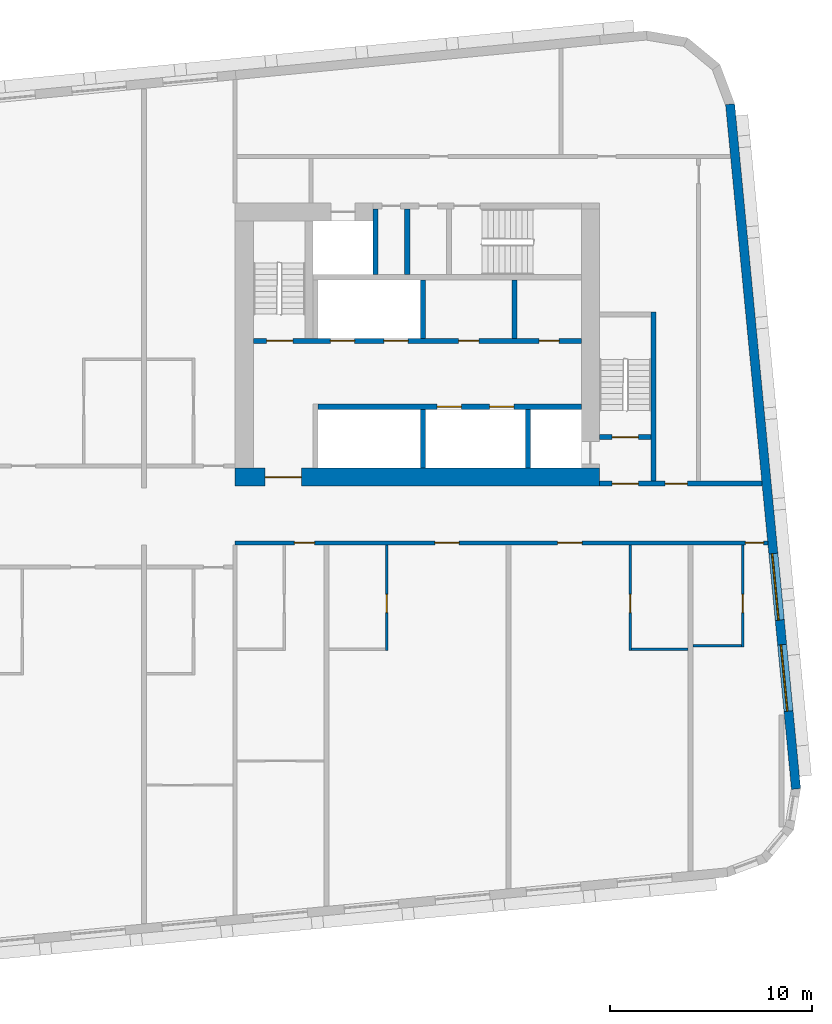
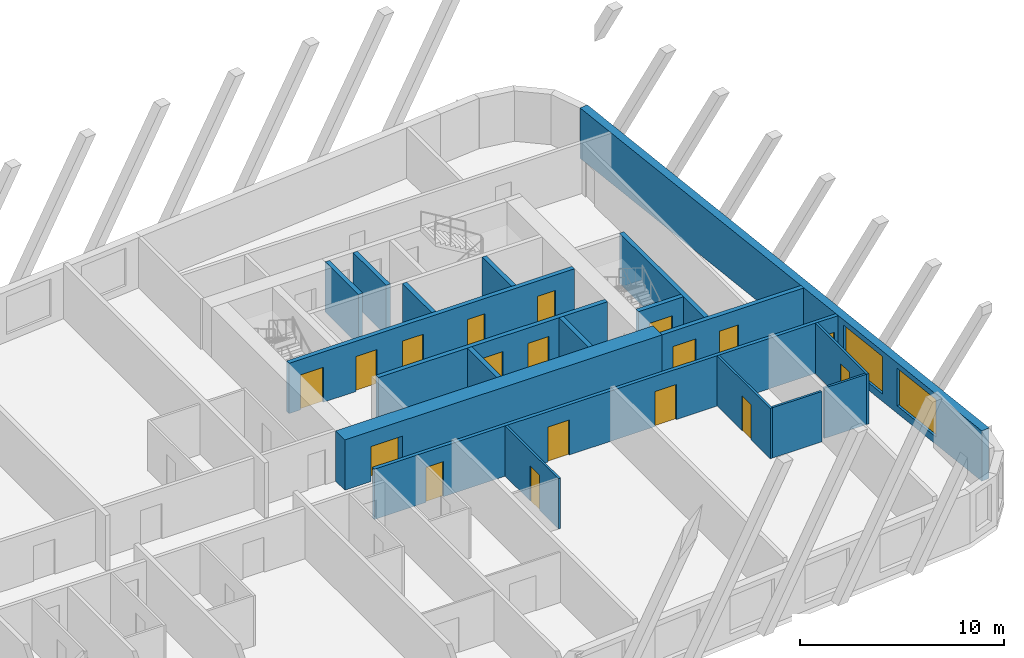
# One storey, part 7 of 13: 19 walls, 18 doors, 2 windows, 20 openings.
"""IFC4 building model written with IfcOpenShell, lengths in metres."""

from ifc_helpers import new_model, si_unit, direction, frame, frame_2d, origin, place, context, subcontext, project, spatial, rectangle, extrude, material, layer, layer_set, type_object, element, fill, save


model = new_model("IFC4")

# Units and contexts
model_context = context("Model", 3, precision=1e-05, world=origin(), true_north=direction((0.0, 1.0)))
body_context = subcontext(model_context, "Body", "Model", "MODEL_VIEW")
ifc_project = project(units=[si_unit("LENGTHUNIT", "METRE"), si_unit("AREAUNIT", "SQUARE_METRE"), si_unit("VOLUMEUNIT", "CUBIC_METRE"), si_unit("PLANEANGLEUNIT", "RADIAN"), si_unit("MASSUNIT", "GRAM", prefix="KILO")], contexts=[model_context])

# Site, building, storey
site_placement = place(None, origin())
site = spatial("IfcSite", under=ifc_project, at=site_placement, CompositionType="ELEMENT")
building_placement = place(site_placement, origin())
building = spatial("IfcBuilding", under=site, at=building_placement, Name="Kajstack Hotel Tower", CompositionType="ELEMENT")
storey_placement = place(building_placement, frame((0.0, 0.0, 176.800048828125)))
storey = spatial("IfcBuildingStorey", under=building, at=storey_placement, Name="L41", CompositionType="ELEMENT", Elevation=176.800048828125)

# Wall, opening, door
ifc_material_1 = material(Name="Concrete C60/75", Category="concrete")
ifc_layer_1 = layer(ifc_material_1, 0.89990234375)
ifc_layer_set_1 = layer_set([ifc_layer_1], Name="Core wall 900")
wall_type_1 = type_object("IfcWallType", Name="Core wall 900", PredefinedType="SHEAR", material=ifc_layer_set_1)
wall_1_placement = place(storey_placement, frame((13.5, 1.949951171875, 0.0), z_axis=(0.0, 0.0, 1.0), x_axis=(1.0, 0.0, 0.0)))
wall_1 = element("IfcWall", 1, at=wall_1_placement, inside=storey, type_object=wall_type_1, Name="Core wall E RN", PredefinedType="SHEAR", context=body_context, shape_type="SweptSolid", body=[
    extrude(rectangle(XDim=18.0, YDim=0.89990234375, at=frame_2d((9.0, 0.0))), origin(), (0.0, 0.0, 1.0), 3.02001953125),
])
opening_1_placement = place(wall_1_placement, frame((1.47509765625, 0.0, 0.0)))
opening_1 = element("IfcOpeningElement", 2, at=opening_1_placement, cuts=wall_1, Name="Opening 41E07", PredefinedType="OPENING", context=body_context, shape_type="SweptSolid", body=[
    extrude(rectangle(XDim=1.800048828125, YDim=2.10009765625, at=frame_2d((0.89990234375, 1.050048828125))), frame((0.0, 0.4599609375, 0.0), z_axis=(0.0, -1.0, 0.0), x_axis=(1.0, 0.0, 0.0)), (0.0, 0.0, 1.0), 0.919921875),
])
ifc_material_2 = material(Name="Glazed steel frame, fire-rated glass", Category="steel")
door_type_1 = type_object("IfcDoorType", Name="Lobby double door 1800", OperationType="DOUBLE_DOOR_DOUBLE_SWING", PredefinedType="DOOR", material=ifc_material_2)
door_1_placement = place(opening_1_placement, origin())
door_1 = element("IfcDoor", 3, at=door_1_placement, inside=storey, type_object=door_type_1, Name="Door 41E07", OperationType="DOUBLE_DOOR_DOUBLE_SWING", OverallHeight=2.10009765625, OverallWidth=1.800048828125, PredefinedType="DOOR", context=body_context, shape_type="SweptSolid", body=[
    extrude(rectangle(XDim=1.800048828125, YDim=2.10009765625, at=frame_2d((0.89990234375, 1.050048828125))), frame((0.0, 0.02490234375, 0.0), z_axis=(0.0, -1.0, 0.0), x_axis=(1.0, 0.0, 0.0)), (0.0, 0.0, 1.0), 0.050048828125),
])
fill(opening_1, door_1)

# Wall, openings, doors
ifc_material_3 = material(Name="Gypsum board on steel studs, mineral wool", Category="steel")
ifc_layer_2 = layer(ifc_material_3, 0.199951171875)
ifc_layer_set_2 = layer_set([ifc_layer_2], Name="Corridor wall 200")
wall_type_2 = type_object("IfcWallType", Name="Corridor wall 200", PredefinedType="PARTITIONING", material=ifc_layer_set_2)
wall_2_placement = place(storey_placement, frame((13.5, -1.300048828125, 0.0), z_axis=(0.0, 0.0, 1.0), x_axis=(1.0, 0.0, 0.0)))
wall_2 = element("IfcWall", 4, at=wall_2_placement, inside=storey, type_object=wall_type_2, Name="G-wall-L41-026", PredefinedType="PARTITIONING", context=body_context, shape_type="SweptSolid", body=[
    extrude(rectangle(XDim=26.31689453125, YDim=0.199951171875, at=frame_2d((13.158447265625, 0.0))), origin(), (0.0, 0.0, 1.0), 3.02001953125),
])
opening_2_placement = place(wall_2_placement, frame((2.925048828125, 0.0, 0.0)))
opening_2 = element("IfcOpeningElement", 5, at=opening_2_placement, cuts=wall_2, Name="Opening 41031", PredefinedType="OPENING", context=body_context, shape_type="SweptSolid", body=[
    extrude(rectangle(XDim=1.0, YDim=2.10009765625, at=frame_2d((0.5, 1.050048828125))), frame((0.0, 0.10986328125, 0.0), z_axis=(0.0, -1.0, 0.0), x_axis=(1.0, 0.0, 0.0)), (0.0, 0.0, 1.0), 0.219970703125),
])
opening_3_placement = place(wall_2_placement, frame((9.862060546875, 0.0, 0.0)))
opening_3 = element("IfcOpeningElement", 6, at=opening_3_placement, cuts=wall_2, Name="Opening 41034", PredefinedType="OPENING", context=body_context, shape_type="SweptSolid", body=[
    extrude(rectangle(XDim=1.199951171875, YDim=2.10009765625, at=frame_2d((0.60009765625, 1.050048828125))), frame((0.0, 0.10986328125, 0.0), z_axis=(0.0, -1.0, 0.0), x_axis=(1.0, 0.0, 0.0)), (0.0, 0.0, 1.0), 0.219970703125),
])
opening_4_placement = place(wall_2_placement, frame((15.93798828125, 0.0, 0.0)))
opening_4 = element("IfcOpeningElement", 7, at=opening_4_placement, cuts=wall_2, Name="Opening 41036", PredefinedType="OPENING", context=body_context, shape_type="SweptSolid", body=[
    extrude(rectangle(XDim=1.199951171875, YDim=2.10009765625, at=frame_2d((0.60009765625, 1.050048828125))), frame((0.0, 0.10986328125, 0.0), z_axis=(0.0, -1.0, 0.0), x_axis=(1.0, 0.0, 0.0)), (0.0, 0.0, 1.0), 0.219970703125),
])
opening_5_placement = place(wall_2_placement, frame((25.2080078125, 0.0, 0.0)))
opening_5 = element("IfcOpeningElement", 8, at=opening_5_placement, cuts=wall_2, Name="Opening 41038", PredefinedType="OPENING", context=body_context, shape_type="SweptSolid", body=[
    extrude(rectangle(XDim=0.89990234375, YDim=2.10009765625, at=frame_2d((0.449951171875, 1.050048828125))), frame((0.0, 0.10986328125, 0.0), z_axis=(0.0, -1.0, 0.0), x_axis=(1.0, 0.0, 0.0)), (0.0, 0.0, 1.0), 0.219970703125),
])
ifc_material_4 = material(Name="Oak veneer on timber core, fire-rated leaf", Category="wood")
door_type_2 = type_object("IfcDoorType", Name="Flat entrance door 1000", OperationType="SINGLE_SWING_LEFT", PredefinedType="DOOR", material=ifc_material_4)
door_2_placement = place(opening_2_placement, origin())
door_2 = element("IfcDoor", 9, at=door_2_placement, inside=storey, type_object=door_type_2, Name="G-door-L41-31", OperationType="SINGLE_SWING_LEFT", OverallHeight=2.10009765625, OverallWidth=1.0, PredefinedType="DOOR", context=body_context, shape_type="SweptSolid", body=[
    extrude(rectangle(XDim=1.0, YDim=2.10009765625, at=frame_2d((0.5, 1.050048828125))), frame((0.0, 0.02490234375, 0.0), z_axis=(0.0, -1.0, 0.0), x_axis=(1.0, 0.0, 0.0)), (0.0, 0.0, 1.0), 0.050048828125),
])
fill(opening_2, door_2)
door_type_3 = type_object("IfcDoorType", Name="Flat entrance door 1200", OperationType="SINGLE_SWING_LEFT", PredefinedType="DOOR", material=ifc_material_4)
door_3_placement = place(opening_3_placement, origin())
door_3 = element("IfcDoor", 10, at=door_3_placement, inside=storey, type_object=door_type_3, Name="G-door-L41-34", OperationType="SINGLE_SWING_LEFT", OverallHeight=2.10009765625, OverallWidth=1.199951171875, PredefinedType="DOOR", context=body_context, shape_type="SweptSolid", body=[
    extrude(rectangle(XDim=1.199951171875, YDim=2.10009765625, at=frame_2d((0.60009765625, 1.050048828125))), frame((0.0, 0.02490234375, 0.0), z_axis=(0.0, -1.0, 0.0), x_axis=(1.0, 0.0, 0.0)), (0.0, 0.0, 1.0), 0.050048828125),
])
fill(opening_3, door_3)
door_4_placement = place(opening_4_placement, origin())
door_4 = element("IfcDoor", 11, at=door_4_placement, inside=storey, type_object=door_type_3, Name="G-door-L41-36", OperationType="SINGLE_SWING_RIGHT", OverallHeight=2.10009765625, OverallWidth=1.199951171875, PredefinedType="DOOR", context=body_context, shape_type="SweptSolid", body=[
    extrude(rectangle(XDim=1.199951171875, YDim=2.10009765625, at=frame_2d((0.60009765625, 1.050048828125))), frame((0.0, 0.02490234375, 0.0), z_axis=(0.0, -1.0, 0.0), x_axis=(1.0, 0.0, 0.0)), (0.0, 0.0, 1.0), 0.050048828125),
])
fill(opening_4, door_4)
ifc_material_5 = material(Name="Painted timber door leaf", Category="wood")
door_type_4 = type_object("IfcDoorType", Name="Room door 900", OperationType="SINGLE_SWING_LEFT", PredefinedType="DOOR", material=ifc_material_5)
door_5_placement = place(opening_5_placement, origin())
door_5 = element("IfcDoor", 12, at=door_5_placement, inside=storey, type_object=door_type_4, Name="G-door-L41-38", OperationType="SINGLE_SWING_RIGHT", OverallHeight=2.10009765625, OverallWidth=0.89990234375, PredefinedType="DOOR", context=body_context, shape_type="SweptSolid", body=[
    extrude(rectangle(XDim=0.89990234375, YDim=2.10009765625, at=frame_2d((0.449951171875, 1.050048828125))), frame((0.0, 0.02490234375, 0.0), z_axis=(0.0, -1.0, 0.0), x_axis=(1.0, 0.0, 0.0)), (0.0, 0.0, 1.0), 0.050048828125),
])
fill(opening_5, door_5)

# Wall, openings, windows
ifc_material_6 = material(Name="Terracotta-faced brick masonry", Category="masonry")
ifc_layer_3 = layer(ifc_material_6, 0.449951171875)
ifc_layer_set_3 = layer_set([ifc_layer_3], Name="EW-TERRA")
wall_type_3 = type_object("IfcWallType", Name="EW-TERRA", PredefinedType="SOLIDWALL", material=ifc_layer_set_3)
wall_3_placement = place(storey_placement, frame((41.21435546875, -13.465576171875, 0.0), z_axis=(0.0, 0.0, 1.0), x_axis=(-0.095847314626, 0.995396047952, 0.0)))
wall_3 = element("IfcWall", 13, at=wall_3_placement, inside=storey, type_object=wall_type_3, Name="E-wall-L41-08-00", PredefinedType="SOLIDWALL", context=body_context, shape_type="SweptSolid", body=[
    extrude(rectangle(XDim=33.999755859375, YDim=0.449951171875, at=frame_2d((17.0, 0.0))), origin(), (0.0, 0.0, 1.0), 3.02001953125),
])
opening_6_placement = place(wall_3_placement, frame((3.869384765625, 0.0, 0.449951171875)))
opening_6 = element("IfcOpeningElement", 14, at=opening_6_placement, cuts=wall_3, Name="Opening W2", PredefinedType="OPENING", context=body_context, shape_type="SweptSolid", body=[
    extrude(rectangle(XDim=3.300048828125, YDim=2.25, at=frame_2d((1.64990234375, 1.125))), frame((0.0, 0.23486328125, 0.0), z_axis=(0.0, -1.0, 0.0), x_axis=(1.0, 0.0, 0.0)), (0.0, 0.0, 1.0), 0.469970703125),
])
opening_7_placement = place(wall_3_placement, frame((8.390380859375, 0.0, 0.449951171875)))
opening_7 = element("IfcOpeningElement", 15, at=opening_7_placement, cuts=wall_3, Name="Opening W2", PredefinedType="OPENING", context=body_context, shape_type="SweptSolid", body=[
    extrude(rectangle(XDim=3.300048828125, YDim=2.25, at=frame_2d((1.64990234375, 1.125))), frame((0.0, 0.23486328125, 0.0), z_axis=(0.0, -1.0, 0.0), x_axis=(1.0, 0.0, 0.0)), (0.0, 0.0, 1.0), 0.469970703125),
])
ifc_material_7 = material(Name="Timber-aluminium window, triple glazed", Category="wood")
window_type = type_object("IfcWindowType", Name="WG2", PartitioningType="SINGLE_PANEL", PredefinedType="WINDOW", material=ifc_material_7)
window_1_placement = place(opening_6_placement, origin())
window_1 = element("IfcWindow", 16, at=window_1_placement, inside=storey, type_object=window_type, Name="Window W2 L41-08", OverallHeight=2.25, OverallWidth=3.300048828125, PartitioningType="SINGLE_PANEL", PredefinedType="WINDOW", context=body_context, shape_type="SweptSolid", body=[
    extrude(rectangle(XDim=3.300048828125, YDim=2.25, at=frame_2d((1.64990234375, 1.125))), frame((0.0, 0.090087890625, 0.0), z_axis=(0.0, -1.0, 0.0), x_axis=(1.0, 0.0, 0.0)), (0.0, 0.0, 1.0), 0.06005859375),
])
fill(opening_6, window_1)
window_2_placement = place(opening_7_placement, origin())
window_2 = element("IfcWindow", 17, at=window_2_placement, inside=storey, type_object=window_type, Name="Window W2 L41-08", OverallHeight=2.25, OverallWidth=3.300048828125, PartitioningType="SINGLE_PANEL", PredefinedType="WINDOW", context=body_context, shape_type="SweptSolid", body=[
    extrude(rectangle(XDim=3.300048828125, YDim=2.25, at=frame_2d((1.64990234375, 1.125))), frame((0.0, 0.090087890625, 0.0), z_axis=(0.0, -1.0, 0.0), x_axis=(1.0, 0.0, 0.0)), (0.0, 0.0, 1.0), 0.06005859375),
])
fill(opening_7, window_2)

# Wall, opening, door
ifc_material_8 = material(Name="Gypsum board and tiled backer on steel studs", Category="steel")
ifc_layer_4 = layer(ifc_material_8, 0.125)
ifc_layer_set_4 = layer_set([ifc_layer_4], Name="En-suite wall 125")
wall_type_4 = type_object("IfcWallType", Name="En-suite wall 125", PredefinedType="PARTITIONING", material=ifc_layer_set_4)
wall_4_placement = place(storey_placement, frame((20.988037109375, -6.625, 0.0), z_axis=(0.0, 0.0, 1.0), x_axis=(0.0, 1.0, 0.0)))
wall_4 = element("IfcWall", 18, at=wall_4_placement, inside=storey, type_object=wall_type_4, Name="G-wall-L41-044", PredefinedType="PARTITIONING", context=body_context, shape_type="SweptSolid", body=[
    extrude(rectangle(XDim=5.22509765625, YDim=0.125, at=frame_2d((2.612548828125, 0.0))), origin(), (0.0, 0.0, 1.0), 3.02001953125),
])
opening_8_placement = place(wall_4_placement, frame((1.875, 0.0, 0.0)))
opening_8 = element("IfcOpeningElement", 19, at=opening_8_placement, cuts=wall_4, Name="Opening 41035", PredefinedType="OPENING", context=body_context, shape_type="SweptSolid", body=[
    extrude(rectangle(XDim=0.89990234375, YDim=2.10009765625, at=frame_2d((0.449951171875, 1.050048828125))), frame((0.0, 0.072509765625, 0.0), z_axis=(0.0, -1.0, 0.0), x_axis=(1.0, 0.0, 0.0)), (0.0, 0.0, 1.0), 0.14501953125),
])
door_6_placement = place(opening_8_placement, origin())
door_6 = element("IfcDoor", 20, at=door_6_placement, inside=storey, type_object=door_type_4, Name="G-door-L41-35", OperationType="SINGLE_SWING_RIGHT", OverallHeight=2.10009765625, OverallWidth=0.89990234375, PredefinedType="DOOR", context=body_context, shape_type="SweptSolid", body=[
    extrude(rectangle(XDim=0.89990234375, YDim=2.10009765625, at=frame_2d((0.449951171875, 1.050048828125))), frame((0.0, 0.02490234375, 0.0), z_axis=(0.0, -1.0, 0.0), x_axis=(1.0, 0.0, 0.0)), (0.0, 0.0, 1.0), 0.050048828125),
])
fill(opening_8, door_6)

wall_5_placement = place(storey_placement, frame((33.012939453125, -6.625, 0.0), z_axis=(0.0, 0.0, 1.0), x_axis=(0.0, 1.0, 0.0)))
wall_5 = element("IfcWall", 21, at=wall_5_placement, inside=storey, type_object=wall_type_4, Name="G-wall-L41-046", PredefinedType="PARTITIONING", context=body_context, shape_type="SweptSolid", body=[
    extrude(rectangle(XDim=5.22509765625, YDim=0.125, at=frame_2d((2.612548828125, 0.0))), origin(), (0.0, 0.0, 1.0), 3.02001953125),
])
opening_9_placement = place(wall_5_placement, frame((1.875, 0.0, 0.0)))
opening_9 = element("IfcOpeningElement", 22, at=opening_9_placement, cuts=wall_5, Name="Opening 41037", PredefinedType="OPENING", context=body_context, shape_type="SweptSolid", body=[
    extrude(rectangle(XDim=0.89990234375, YDim=2.10009765625, at=frame_2d((0.449951171875, 1.050048828125))), frame((0.0, 0.072509765625, 0.0), z_axis=(0.0, -1.0, 0.0), x_axis=(1.0, 0.0, 0.0)), (0.0, 0.0, 1.0), 0.14501953125),
])
door_7_placement = place(opening_9_placement, origin())
door_7 = element("IfcDoor", 23, at=door_7_placement, inside=storey, type_object=door_type_4, Name="G-door-L41-37", OperationType="SINGLE_SWING_LEFT", OverallHeight=2.10009765625, OverallWidth=0.89990234375, PredefinedType="DOOR", context=body_context, shape_type="SweptSolid", body=[
    extrude(rectangle(XDim=0.89990234375, YDim=2.10009765625, at=frame_2d((0.449951171875, 1.050048828125))), frame((0.0, 0.02490234375, 0.0), z_axis=(0.0, -1.0, 0.0), x_axis=(1.0, 0.0, 0.0)), (0.0, 0.0, 1.0), 0.050048828125),
])
fill(opening_9, door_7)

# Wall
wall_6_placement = place(storey_placement, frame((33.074951171875, -6.56201171875, 0.0), z_axis=(0.0, 0.0, 1.0), x_axis=(1.0, 0.0, 0.0)))
element("IfcWall", 24, at=wall_6_placement, inside=storey, type_object=wall_type_4, Name="G-wall-L41-047", PredefinedType="PARTITIONING", context=body_context, shape_type="SweptSolid", body=[
    extrude(rectangle(XDim=2.800048828125, YDim=0.125, at=frame_2d((1.39990234375, 0.0))), origin(), (0.0, 0.0, 1.0), 3.02001953125),
])

# Wall, opening, door
wall_7_placement = place(storey_placement, frame((38.5869140625, -6.445068359375, 0.0), z_axis=(0.0, 0.0, 1.0), x_axis=(0.0, 1.0, 0.0)))
wall_7 = element("IfcWall", 25, at=wall_7_placement, inside=storey, type_object=wall_type_4, Name="G-wall-L41-048", PredefinedType="PARTITIONING", context=body_context, shape_type="SweptSolid", body=[
    extrude(rectangle(XDim=5.045166015625, YDim=0.125, at=frame_2d((2.5224609375, 0.0))), origin(), (0.0, 0.0, 1.0), 3.02001953125),
])
opening_10_placement = place(wall_7_placement, frame((1.695068359375, 0.0, 0.0)))
opening_10 = element("IfcOpeningElement", 26, at=opening_10_placement, cuts=wall_7, Name="Opening 41039", PredefinedType="OPENING", context=body_context, shape_type="SweptSolid", body=[
    extrude(rectangle(XDim=0.89990234375, YDim=2.10009765625, at=frame_2d((0.449951171875, 1.050048828125))), frame((0.0, 0.072509765625, 0.0), z_axis=(0.0, -1.0, 0.0), x_axis=(1.0, 0.0, 0.0)), (0.0, 0.0, 1.0), 0.14501953125),
])
door_8_placement = place(opening_10_placement, origin())
door_8 = element("IfcDoor", 27, at=door_8_placement, inside=storey, type_object=door_type_4, Name="G-door-L41-39", OperationType="SINGLE_SWING_LEFT", OverallHeight=2.10009765625, OverallWidth=0.89990234375, PredefinedType="DOOR", context=body_context, shape_type="SweptSolid", body=[
    extrude(rectangle(XDim=0.89990234375, YDim=2.10009765625, at=frame_2d((0.449951171875, 1.050048828125))), frame((0.0, 0.02490234375, 0.0), z_axis=(0.0, -1.0, 0.0), x_axis=(1.0, 0.0, 0.0)), (0.0, 0.0, 1.0), 0.050048828125),
])
fill(opening_10, door_8)

# Walls
wall_8_placement = place(storey_placement, frame((36.125, -6.382080078125, 0.0), z_axis=(0.0, 0.0, 1.0), x_axis=(1.0, 0.0, 0.0)))
element("IfcWall", 28, at=wall_8_placement, inside=storey, type_object=wall_type_4, Name="G-wall-L41-049", PredefinedType="PARTITIONING", context=body_context, shape_type="SweptSolid", body=[
    extrude(rectangle(XDim=2.39990234375, YDim=0.125, at=frame_2d((1.199951171875, 0.0))), origin(), (0.0, 0.0, 1.0), 3.02001953125),
])
ifc_material_9 = material(Name="Concrete C50/60", Category="concrete")
ifc_layer_5 = layer(ifc_material_9, 0.300048828125)
ifc_layer_set_5 = layer_set([ifc_layer_5], Name="Hoistway divider wall 300")
wall_type_5 = type_object("IfcWallType", Name="Hoistway divider wall 300", PredefinedType="SHEAR", material=ifc_layer_set_5)
wall_9_placement = place(storey_placement, frame((22.77490234375, 2.39990234375, 0.0), z_axis=(0.0, 0.0, 1.0), x_axis=(0.0, 1.0, 0.0)))
element("IfcWall", 29, at=wall_9_placement, inside=storey, type_object=wall_type_5, Name="Core wall E AP2", PredefinedType="SHEAR", context=body_context, shape_type="SweptSolid", body=[
    extrude(rectangle(XDim=2.900146484375, YDim=0.25, at=frame_2d((1.4501953125, 0.0))), origin(), (0.0, 0.0, 1.0), 3.02001953125),
])
wall_10_placement = place(storey_placement, frame((22.77490234375, 8.800048828125, 0.0), z_axis=(0.0, 0.0, 1.0), x_axis=(0.0, 1.0, 0.0)))
element("IfcWall", 30, at=wall_10_placement, inside=storey, type_object=wall_type_5, Name="Core wall E BP2", PredefinedType="SHEAR", context=body_context, shape_type="SweptSolid", body=[
    extrude(rectangle(XDim=2.89990234375, YDim=0.25, at=frame_2d((1.449951171875, 0.0))), origin(), (0.0, 0.0, 1.0), 3.02001953125),
])
ifc_material_10 = material(Name="Concrete block masonry", Category="masonry")
ifc_layer_6 = layer(ifc_material_10, 0.25)
ifc_layer_set_6 = layer_set([ifc_layer_6], Name="Riser partition 250")
wall_type_6 = type_object("IfcWallType", Name="Riser partition 250", PredefinedType="PARTITIONING", material=ifc_layer_set_6)
wall_11_placement = place(storey_placement, frame((27.300048828125, 8.800048828125, 0.0), z_axis=(0.0, 0.0, 1.0), x_axis=(0.0, 1.0, 0.0)))
element("IfcWall", 31, at=wall_11_placement, inside=storey, type_object=wall_type_6, Name="Partition E BF0", PredefinedType="PARTITIONING", context=body_context, shape_type="SweptSolid", body=[
    extrude(rectangle(XDim=2.89990234375, YDim=0.25, at=frame_2d((1.449951171875, 0.0))), origin(), (0.0, 0.0, 1.0), 3.02001953125),
])
wall_12_placement = place(storey_placement, frame((22.0, 11.949951171875, 0.0), z_axis=(0.0, 0.0, 1.0), x_axis=(0.0, 1.0, 0.0)))
element("IfcWall", 32, at=wall_12_placement, inside=storey, type_object=wall_type_6, Name="Partition E SZ0", PredefinedType="PARTITIONING", context=body_context, shape_type="SweptSolid", body=[
    extrude(rectangle(XDim=3.25, YDim=0.25, at=frame_2d((1.625, 0.0))), origin(), (0.0, 0.0, 1.0), 3.02001953125),
])

# Wall, openings, doors
ifc_layer_7 = layer(ifc_material_3, 0.199951171875)
ifc_layer_set_7 = layer_set([ifc_layer_7], Name="Service partition 200")
wall_type_7 = type_object("IfcWallType", Name="Service partition 200", PredefinedType="PARTITIONING", material=ifc_layer_set_7)
wall_13_placement = place(storey_placement, frame((31.5, 1.625, 0.0), z_axis=(0.0, 0.0, 1.0), x_axis=(1.0, 0.0, 0.0)))
wall_13 = element("IfcWall", 33, at=wall_13_placement, inside=storey, type_object=wall_type_7, Name="Partition E SN", PredefinedType="PARTITIONING", context=body_context, shape_type="SweptSolid", body=[
    extrude(rectangle(XDim=8.035400390625, YDim=0.25, at=frame_2d((4.017578125, 0.0))), origin(), (0.0, 0.0, 1.0), 3.02001953125),
])
opening_11_placement = place(wall_13_placement, frame((0.625, 0.0, 0.0)))
opening_11 = element("IfcOpeningElement", 34, at=opening_11_placement, cuts=wall_13, Name="Opening 41E08", PredefinedType="OPENING", context=body_context, shape_type="SweptSolid", body=[
    extrude(rectangle(XDim=1.300048828125, YDim=2.10009765625, at=frame_2d((0.64990234375, 1.050048828125))), frame((0.0, 0.135009765625, 0.0), z_axis=(0.0, -1.0, 0.0), x_axis=(1.0, 0.0, 0.0)), (0.0, 0.0, 1.0), 0.27001953125),
])
opening_12_placement = place(wall_13_placement, frame((3.25, 0.0, 0.0)))
opening_12 = element("IfcOpeningElement", 35, at=opening_12_placement, cuts=wall_13, Name="Opening 41E10", PredefinedType="OPENING", context=body_context, shape_type="SweptSolid", body=[
    extrude(rectangle(XDim=1.10009765625, YDim=2.10009765625, at=frame_2d((0.550048828125, 1.050048828125))), frame((0.0, 0.135009765625, 0.0), z_axis=(0.0, -1.0, 0.0), x_axis=(1.0, 0.0, 0.0)), (0.0, 0.0, 1.0), 0.27001953125),
])
ifc_material_11 = material(Name="Steel leaf, fire-rated", Category="steel")
door_type_5 = type_object("IfcDoorType", Name="Fire lobby door 1300", OperationType="SINGLE_SWING_LEFT", PredefinedType="DOOR", material=ifc_material_11)
door_9_placement = place(opening_11_placement, origin())
door_9 = element("IfcDoor", 36, at=door_9_placement, inside=storey, type_object=door_type_5, Name="Door 41E08", OperationType="SINGLE_SWING_LEFT", OverallHeight=2.10009765625, OverallWidth=1.300048828125, PredefinedType="DOOR", context=body_context, shape_type="SweptSolid", body=[
    extrude(rectangle(XDim=1.300048828125, YDim=2.10009765625, at=frame_2d((0.64990234375, 1.050048828125))), frame((0.0, 0.02490234375, 0.0), z_axis=(0.0, -1.0, 0.0), x_axis=(1.0, 0.0, 0.0)), (0.0, 0.0, 1.0), 0.050048828125),
])
fill(opening_11, door_9)
ifc_material_12 = material(Name="Timber leaf, fire-rated", Category="wood")
door_type_6 = type_object("IfcDoorType", Name="Service corridor door 1100", OperationType="SINGLE_SWING_LEFT", PredefinedType="DOOR", material=ifc_material_12)
door_10_placement = place(opening_12_placement, origin())
door_10 = element("IfcDoor", 37, at=door_10_placement, inside=storey, type_object=door_type_6, Name="Door 41E10", OperationType="SINGLE_SWING_LEFT", OverallHeight=2.10009765625, OverallWidth=1.10009765625, PredefinedType="DOOR", context=body_context, shape_type="SweptSolid", body=[
    extrude(rectangle(XDim=1.10009765625, YDim=2.10009765625, at=frame_2d((0.550048828125, 1.050048828125))), frame((0.0, 0.02490234375, 0.0), z_axis=(0.0, -1.0, 0.0), x_axis=(1.0, 0.0, 0.0)), (0.0, 0.0, 1.0), 0.050048828125),
])
fill(opening_12, door_10)

ifc_layer_8 = layer(ifc_material_9, 0.25)
ifc_layer_set_8 = layer_set([ifc_layer_8], Name="Shaft wall 250")
wall_type_8 = type_object("IfcWallType", Name="Shaft wall 250", PredefinedType="SHEAR", material=ifc_layer_set_8)
wall_14_placement = place(storey_placement, frame((17.60009765625, 5.425048828125, 0.0), z_axis=(0.0, 0.0, 1.0), x_axis=(1.0, 0.0, 0.0)))
wall_14 = element("IfcWall", 38, at=wall_14_placement, inside=storey, type_object=wall_type_8, Name="Core wall E FA", PredefinedType="SHEAR", context=body_context, shape_type="SweptSolid", body=[
    extrude(rectangle(XDim=13.0, YDim=0.25, at=frame_2d((6.5, 0.0))), origin(), (0.0, 0.0, 1.0), 3.02001953125),
])
opening_13_placement = place(wall_14_placement, frame((8.47509765625, 0.0, 0.0)))
opening_13 = element("IfcOpeningElement", 39, at=opening_13_placement, cuts=wall_14, Name="Opening LD-MR7", PredefinedType="OPENING", context=body_context, shape_type="SweptSolid", body=[
    extrude(rectangle(XDim=1.199951171875, YDim=2.10009765625, at=frame_2d((0.60009765625, 1.050048828125))), frame((0.0, 0.135009765625, 0.0), z_axis=(0.0, -1.0, 0.0), x_axis=(1.0, 0.0, 0.0)), (0.0, 0.0, 1.0), 0.27001953125),
])
opening_14_placement = place(wall_14_placement, frame((5.875, 0.0, 0.0)))
opening_14 = element("IfcOpeningElement", 40, at=opening_14_placement, cuts=wall_14, Name="Opening LD-MR8", PredefinedType="OPENING", context=body_context, shape_type="SweptSolid", body=[
    extrude(rectangle(XDim=1.199951171875, YDim=2.10009765625, at=frame_2d((0.60009765625, 1.050048828125))), frame((0.0, 0.135009765625, 0.0), z_axis=(0.0, -1.0, 0.0), x_axis=(1.0, 0.0, 0.0)), (0.0, 0.0, 1.0), 0.27001953125),
])
ifc_material_13 = material(Name="Stainless steel", Category="steel")
door_type_7 = type_object("IfcDoorType", Name="Lift landing door 1200", OperationType="SLIDING_TO_LEFT", PredefinedType="DOOR", material=ifc_material_13)
door_11_placement = place(opening_13_placement, origin())
door_11 = element("IfcDoor", 41, at=door_11_placement, inside=storey, type_object=door_type_7, Name="Landing door MR7", OperationType="SLIDING_TO_LEFT", OverallHeight=2.10009765625, OverallWidth=1.199951171875, PredefinedType="DOOR", context=body_context, shape_type="SweptSolid", body=[
    extrude(rectangle(XDim=1.199951171875, YDim=2.10009765625, at=frame_2d((0.60009765625, 1.050048828125))), frame((0.0, 0.02490234375, 0.0), z_axis=(0.0, -1.0, 0.0), x_axis=(1.0, 0.0, 0.0)), (0.0, 0.0, 1.0), 0.050048828125),
])
fill(opening_13, door_11)
door_12_placement = place(opening_14_placement, origin())
door_12 = element("IfcDoor", 42, at=door_12_placement, inside=storey, type_object=door_type_7, Name="Landing door MR8", OperationType="SLIDING_TO_RIGHT", OverallHeight=2.10009765625, OverallWidth=1.199951171875, PredefinedType="DOOR", context=body_context, shape_type="SweptSolid", body=[
    extrude(rectangle(XDim=1.199951171875, YDim=2.10009765625, at=frame_2d((0.60009765625, 1.050048828125))), frame((0.0, 0.02490234375, 0.0), z_axis=(0.0, -1.0, 0.0), x_axis=(1.0, 0.0, 0.0)), (0.0, 0.0, 1.0), 0.050048828125),
])
fill(opening_14, door_12)

# Wall
wall_15_placement = place(storey_placement, frame((27.97509765625, 2.39990234375, 0.0), z_axis=(0.0, 0.0, 1.0), x_axis=(0.0, 1.0, 0.0)))
element("IfcWall", 43, at=wall_15_placement, inside=storey, type_object=wall_type_8, Name="Core wall E AP0", PredefinedType="SHEAR", context=body_context, shape_type="SweptSolid", body=[
    extrude(rectangle(XDim=2.900146484375, YDim=0.25, at=frame_2d((1.4501953125, 0.0))), origin(), (0.0, 0.0, 1.0), 3.02001953125),
])

# Wall, openings, doors
wall_16_placement = place(storey_placement, frame((14.39990234375, 8.675048828125, 0.0), z_axis=(0.0, 0.0, 1.0), x_axis=(1.0, 0.0, 0.0)))
wall_16 = element("IfcWall", 44, at=wall_16_placement, inside=storey, type_object=wall_type_8, Name="Core wall E FB", PredefinedType="SHEAR", context=body_context, shape_type="SweptSolid", body=[
    extrude(rectangle(XDim=16.2001953125, YDim=0.25, at=frame_2d((8.10009765625, 0.0))), origin(), (0.0, 0.0, 1.0), 3.02001953125),
])
opening_15_placement = place(wall_16_placement, frame((6.449951171875, 0.0, 0.0)))
opening_15 = element("IfcOpeningElement", 45, at=opening_15_placement, cuts=wall_16, Name="Opening LD-MR5", PredefinedType="OPENING", context=body_context, shape_type="SweptSolid", body=[
    extrude(rectangle(XDim=1.199951171875, YDim=2.10009765625, at=frame_2d((0.60009765625, 1.050048828125))), frame((0.0, 0.135009765625, 0.0), z_axis=(0.0, -1.0, 0.0), x_axis=(1.0, 0.0, 0.0)), (0.0, 0.0, 1.0), 0.27001953125),
])
opening_16_placement = place(wall_16_placement, frame((3.800048828125, 0.0, 0.0)))
opening_16 = element("IfcOpeningElement", 46, at=opening_16_placement, cuts=wall_16, Name="Opening LD-MR6", PredefinedType="OPENING", context=body_context, shape_type="SweptSolid", body=[
    extrude(rectangle(XDim=1.199951171875, YDim=2.10009765625, at=frame_2d((0.60009765625, 1.050048828125))), frame((0.0, 0.135009765625, 0.0), z_axis=(0.0, -1.0, 0.0), x_axis=(1.0, 0.0, 0.0)), (0.0, 0.0, 1.0), 0.27001953125),
])
opening_17_placement = place(wall_16_placement, frame((0.64990234375, 0.0, 0.0)))
opening_17 = element("IfcOpeningElement", 47, at=opening_17_placement, cuts=wall_16, Name="Opening 41E11", PredefinedType="OPENING", context=body_context, shape_type="SweptSolid", body=[
    extrude(rectangle(XDim=1.300048828125, YDim=2.10009765625, at=frame_2d((0.64990234375, 1.050048828125))), frame((0.0, 0.135009765625, 0.0), z_axis=(0.0, -1.0, 0.0), x_axis=(1.0, 0.0, 0.0)), (0.0, 0.0, 1.0), 0.27001953125),
])
opening_18_placement = place(wall_16_placement, frame((14.112548828125, 0.0, 0.0)))
opening_18 = element("IfcOpeningElement", 48, at=opening_18_placement, cuts=wall_16, Name="Opening 41E15", PredefinedType="OPENING", context=body_context, shape_type="SweptSolid", body=[
    extrude(rectangle(XDim=1.0, YDim=2.10009765625, at=frame_2d((0.5, 1.050048828125))), frame((0.0, 0.135009765625, 0.0), z_axis=(0.0, -1.0, 0.0), x_axis=(1.0, 0.0, 0.0)), (0.0, 0.0, 1.0), 0.27001953125),
])
opening_19_placement = place(wall_16_placement, frame((10.137451171875, 0.0, 0.0)))
opening_19 = element("IfcOpeningElement", 49, at=opening_19_placement, cuts=wall_16, Name="Opening 41E16", PredefinedType="OPENING", context=body_context, shape_type="SweptSolid", body=[
    extrude(rectangle(XDim=1.0, YDim=2.10009765625, at=frame_2d((0.5, 1.050048828125))), frame((0.0, 0.135009765625, 0.0), z_axis=(0.0, -1.0, 0.0), x_axis=(1.0, 0.0, 0.0)), (0.0, 0.0, 1.0), 0.27001953125),
])
door_13_placement = place(opening_15_placement, origin())
door_13 = element("IfcDoor", 50, at=door_13_placement, inside=storey, type_object=door_type_7, Name="Landing door MR5", OperationType="SLIDING_TO_LEFT", OverallHeight=2.10009765625, OverallWidth=1.199951171875, PredefinedType="DOOR", context=body_context, shape_type="SweptSolid", body=[
    extrude(rectangle(XDim=1.199951171875, YDim=2.10009765625, at=frame_2d((0.60009765625, 1.050048828125))), frame((0.0, 0.02490234375, 0.0), z_axis=(0.0, -1.0, 0.0), x_axis=(1.0, 0.0, 0.0)), (0.0, 0.0, 1.0), 0.050048828125),
])
fill(opening_15, door_13)
door_14_placement = place(opening_16_placement, origin())
door_14 = element("IfcDoor", 51, at=door_14_placement, inside=storey, type_object=door_type_7, Name="Landing door MR6", OperationType="SLIDING_TO_RIGHT", OverallHeight=2.10009765625, OverallWidth=1.199951171875, PredefinedType="DOOR", context=body_context, shape_type="SweptSolid", body=[
    extrude(rectangle(XDim=1.199951171875, YDim=2.10009765625, at=frame_2d((0.60009765625, 1.050048828125))), frame((0.0, 0.02490234375, 0.0), z_axis=(0.0, -1.0, 0.0), x_axis=(1.0, 0.0, 0.0)), (0.0, 0.0, 1.0), 0.050048828125),
])
fill(opening_16, door_14)
door_type_8 = type_object("IfcDoorType", Name="Service room door 1000", OperationType="SINGLE_SWING_LEFT", PredefinedType="DOOR", material=ifc_material_12)
door_15_placement = place(opening_18_placement, origin())
door_15 = element("IfcDoor", 52, at=door_15_placement, inside=storey, type_object=door_type_8, Name="Door 41E15", OperationType="SINGLE_SWING_LEFT", OverallHeight=2.10009765625, OverallWidth=1.0, PredefinedType="DOOR", context=body_context, shape_type="SweptSolid", body=[
    extrude(rectangle(XDim=1.0, YDim=2.10009765625, at=frame_2d((0.5, 1.050048828125))), frame((0.0, 0.02490234375, 0.0), z_axis=(0.0, -1.0, 0.0), x_axis=(1.0, 0.0, 0.0)), (0.0, 0.0, 1.0), 0.050048828125),
])
fill(opening_18, door_15)
door_16_placement = place(opening_19_placement, origin())
door_16 = element("IfcDoor", 53, at=door_16_placement, inside=storey, type_object=door_type_8, Name="Door 41E16", OperationType="SINGLE_SWING_LEFT", OverallHeight=2.10009765625, OverallWidth=1.0, PredefinedType="DOOR", context=body_context, shape_type="SweptSolid", body=[
    extrude(rectangle(XDim=1.0, YDim=2.10009765625, at=frame_2d((0.5, 1.050048828125))), frame((0.0, 0.02490234375, 0.0), z_axis=(0.0, -1.0, 0.0), x_axis=(1.0, 0.0, 0.0)), (0.0, 0.0, 1.0), 0.050048828125),
])
fill(opening_19, door_16)
door_type_9 = type_object("IfcDoorType", Name="Stair door 1300", OperationType="SINGLE_SWING_LEFT", PredefinedType="DOOR", material=ifc_material_11)
door_17_placement = place(opening_17_placement, origin())
door_17 = element("IfcDoor", 54, at=door_17_placement, inside=storey, type_object=door_type_9, Name="Door 41E11", OperationType="SINGLE_SWING_LEFT", OverallHeight=2.10009765625, OverallWidth=1.300048828125, PredefinedType="DOOR", context=body_context, shape_type="SweptSolid", body=[
    extrude(rectangle(XDim=1.300048828125, YDim=2.10009765625, at=frame_2d((0.64990234375, 1.050048828125))), frame((0.0, 0.02490234375, 0.0), z_axis=(0.0, -1.0, 0.0), x_axis=(1.0, 0.0, 0.0)), (0.0, 0.0, 1.0), 0.050048828125),
])
fill(opening_17, door_17)

# Wall
wall_17_placement = place(storey_placement, frame((20.425048828125, 11.949951171875, 0.0), z_axis=(0.0, 0.0, 1.0), x_axis=(0.0, 1.0, 0.0)))
element("IfcWall", 55, at=wall_17_placement, inside=storey, type_object=wall_type_8, Name="Core wall E SVW", PredefinedType="SHEAR", context=body_context, shape_type="SweptSolid", body=[
    extrude(rectangle(XDim=3.25, YDim=0.25, at=frame_2d((1.625, 0.0))), origin(), (0.0, 0.0, 1.0), 3.02001953125),
])

# Wall, opening, door
ifc_material_14 = material(Name="Concrete C40/50", Category="concrete")
ifc_layer_9 = layer(ifc_material_14, 0.25)
ifc_layer_set_9 = layer_set([ifc_layer_9], Name="Stair enclosure wall 250")
wall_type_9 = type_object("IfcWallType", Name="Stair enclosure wall 250", PredefinedType="SHEAR", material=ifc_layer_set_9)
wall_18_placement = place(storey_placement, frame((31.5, 3.925048828125, 0.0), z_axis=(0.0, 0.0, 1.0), x_axis=(1.0, 0.0, 0.0)))
wall_18 = element("IfcWall", 56, at=wall_18_placement, inside=storey, type_object=wall_type_9, Name="Core wall E W1N", PredefinedType="SHEAR", context=body_context, shape_type="SweptSolid", body=[
    extrude(rectangle(XDim=2.550048828125, YDim=0.25, at=frame_2d((1.27490234375, 0.0))), origin(), (0.0, 0.0, 1.0), 3.02001953125),
])
opening_20_placement = place(wall_18_placement, frame((0.625, 0.0, 0.0)))
opening_20 = element("IfcOpeningElement", 57, at=opening_20_placement, cuts=wall_18, Name="Opening 41E09", PredefinedType="OPENING", context=body_context, shape_type="SweptSolid", body=[
    extrude(rectangle(XDim=1.300048828125, YDim=2.10009765625, at=frame_2d((0.64990234375, 1.050048828125))), frame((0.0, 0.135009765625, 0.0), z_axis=(0.0, -1.0, 0.0), x_axis=(1.0, 0.0, 0.0)), (0.0, 0.0, 1.0), 0.27001953125),
])
door_18_placement = place(opening_20_placement, origin())
door_18 = element("IfcDoor", 58, at=door_18_placement, inside=storey, type_object=door_type_9, Name="Door 41E09", OperationType="SINGLE_SWING_LEFT", OverallHeight=2.10009765625, OverallWidth=1.300048828125, PredefinedType="DOOR", context=body_context, shape_type="SweptSolid", body=[
    extrude(rectangle(XDim=1.300048828125, YDim=2.10009765625, at=frame_2d((0.64990234375, 1.050048828125))), frame((0.0, 0.02490234375, 0.0), z_axis=(0.0, -1.0, 0.0), x_axis=(1.0, 0.0, 0.0)), (0.0, 0.0, 1.0), 0.050048828125),
])
fill(opening_20, door_18)

# Wall
wall_19_placement = place(storey_placement, frame((34.175048828125, 1.75, 0.0), z_axis=(0.0, 0.0, 1.0), x_axis=(0.0, 1.0, 0.0)))
element("IfcWall", 59, at=wall_19_placement, inside=storey, type_object=wall_type_9, Name="Core wall E W1W", PredefinedType="SHEAR", context=body_context, shape_type="SweptSolid", body=[
    extrude(rectangle(XDim=8.35009765625, YDim=0.25, at=frame_2d((4.175048828125, 0.0))), origin(), (0.0, 0.0, 1.0), 3.02001953125),
])

save(model, "model.ifc")
